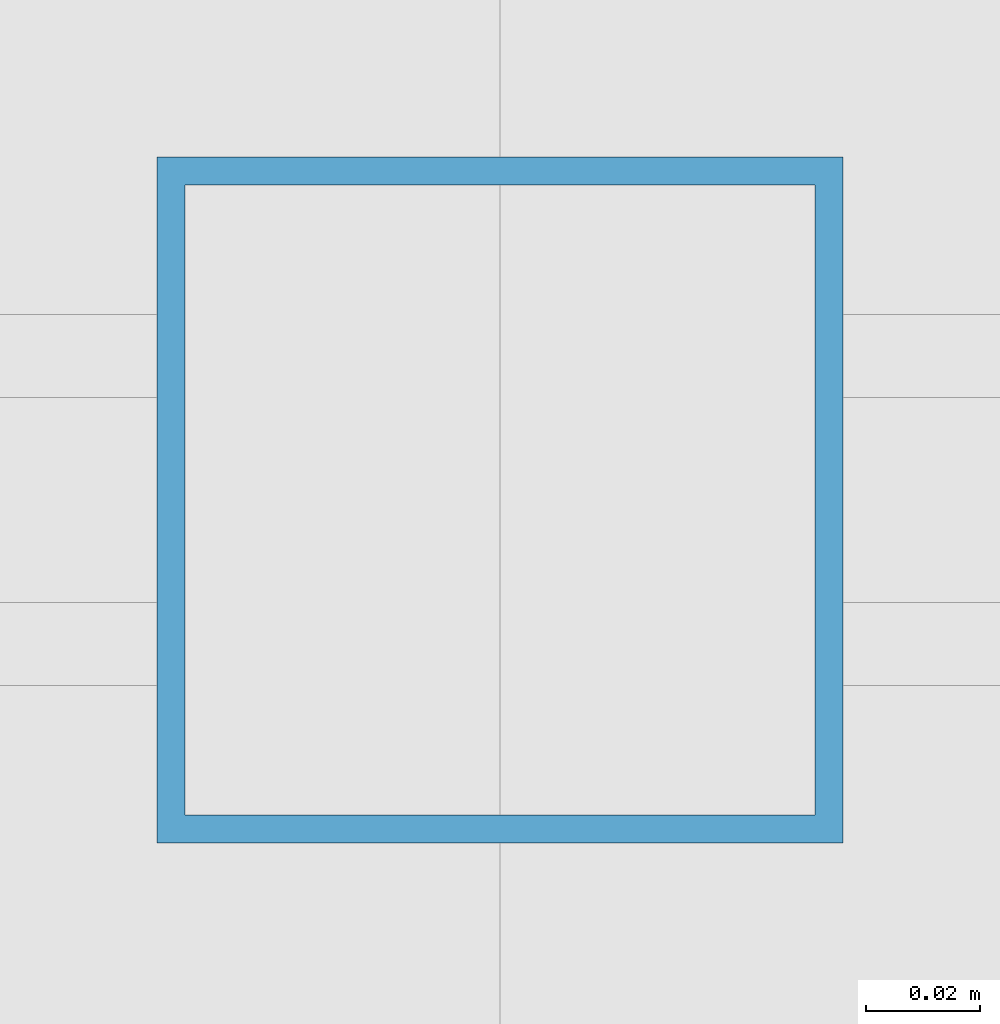
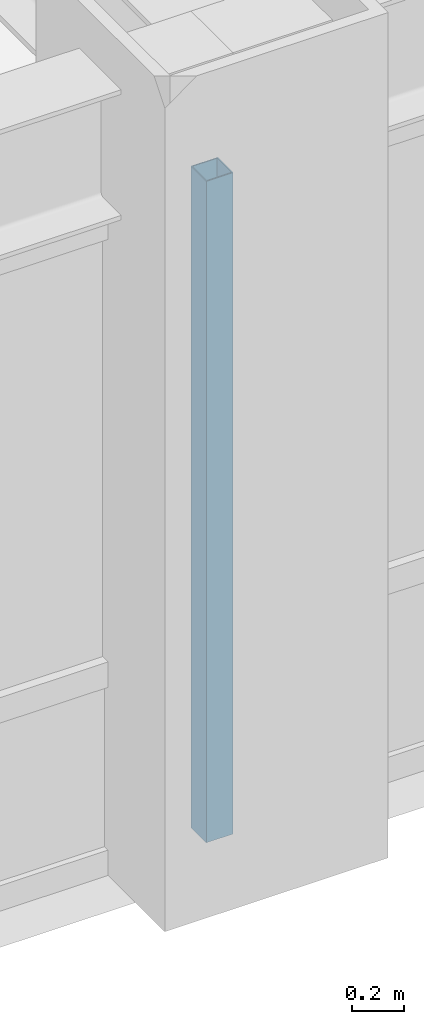
# One storey, part 4 of 25: 1 member, 1 element without a shape of its own.
"""IFC4 building model written with IfcOpenShell, lengths in metres."""

from ifc_helpers import new_model, si_unit, direction, frame, origin, origin_2d, place, context, subcontext, project, spatial, hollow_rectangle, extrude, source, transform, mapped, material, material_profile, profile_set, type_object, element, aggregate, save


model = new_model("IFC4")

# Units and contexts
model_context = context("Model", 3, precision=1e-05, world=origin(), true_north=direction((0.0, 1.0)))
body_context = subcontext(model_context, "Body", "Model", "MODEL_VIEW")
ifc_project = project(units=[si_unit("LENGTHUNIT", "METRE"), si_unit("AREAUNIT", "SQUARE_METRE"), si_unit("VOLUMEUNIT", "CUBIC_METRE"), si_unit("PLANEANGLEUNIT", "RADIAN"), si_unit("MASSUNIT", "GRAM", prefix="KILO")], contexts=[model_context])

# Site, building, storey
site_placement = place(None, origin())
site = spatial("IfcSite", under=ifc_project, at=site_placement, CompositionType="ELEMENT")
building_placement = place(site_placement, origin())
building = spatial("IfcBuilding", under=site, at=building_placement, Name="Khorayat Bourse Tower", CompositionType="ELEMENT")
storey_placement = place(building_placement, frame((0.0, 0.0, 255.10009765625)))
storey = spatial("IfcBuildingStorey", under=building, at=storey_placement, Name="L60", CompositionType="ELEMENT", Elevation=255.10009765625)

# Curtain wall, member
ifc_material = material(Name="Aluminium EN AW-6063 T6", Category="aluminium")
curtain_wall_type = type_object("IfcCurtainWallType", Name="CW-SYS-03", PredefinedType="NOTDEFINED", material=ifc_material)
curtain_wall_placement = place(storey_placement, origin())
curtain_wall = element("IfcCurtainWall", 1, at=curtain_wall_placement, inside=storey, type_object=curtain_wall_type, Name="L60 Curtain Wall CW-L60-S1", PredefinedType="NOTDEFINED")
ifc_material_profile = material_profile(ifc_material, hollow_rectangle(XDim=0.1201171875, YDim=0.1201171875, WallThickness=0.0048828125, at=origin_2d()), Name="ALU 120x120x5")
ifc_profile_set = profile_set([ifc_material_profile], Name="Aluminium EN AW-6063 T6")
member_type = type_object("IfcMemberType", Name="CWM-VERT-120", PredefinedType="MULLION", material=ifc_profile_set)
shared_shape = source(origin(), body_context, "Body", "SweptSolid", [
    extrude(hollow_rectangle(XDim=0.1201171875, YDim=0.1201171875, WallThickness=0.0048828125, at=origin_2d()), origin(), (0.0, 0.0, 1.0), 3.1298828125),
])
member_placement = place(storey_placement, frame((0.0, -30.0, 0.0), z_axis=(0.0, 0.0, 1.0), x_axis=(0.0, 1.0, 0.0)))
member = element("IfcMember", 2, at=member_placement, type_object=member_type, Name="CW-L60-S1 Vertical Mullion 2", PredefinedType="MULLION", context=body_context, shape_type="MappedRepresentation", body=[
    mapped(shared_shape, transform((0.0, 0.0, 0.0), scale=1.0)),
])
aggregate(curtain_wall, [member])

save(model, "model.ifc")
